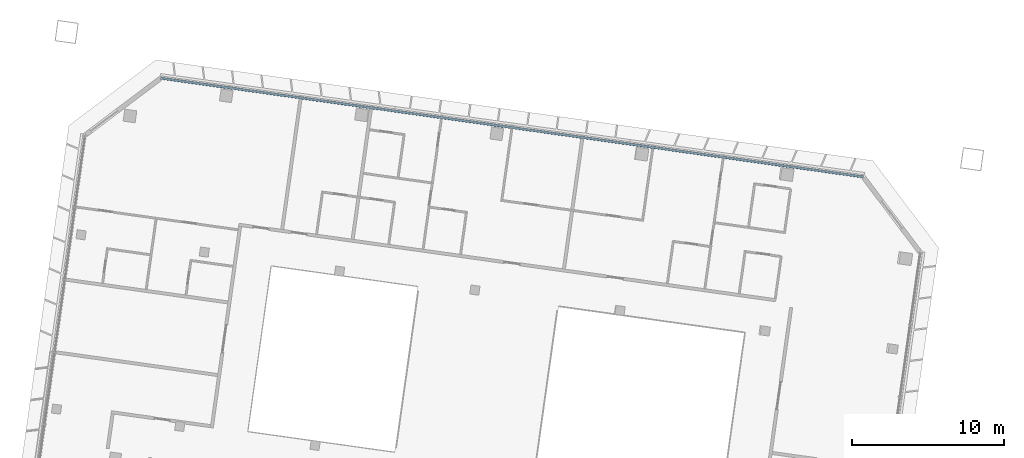
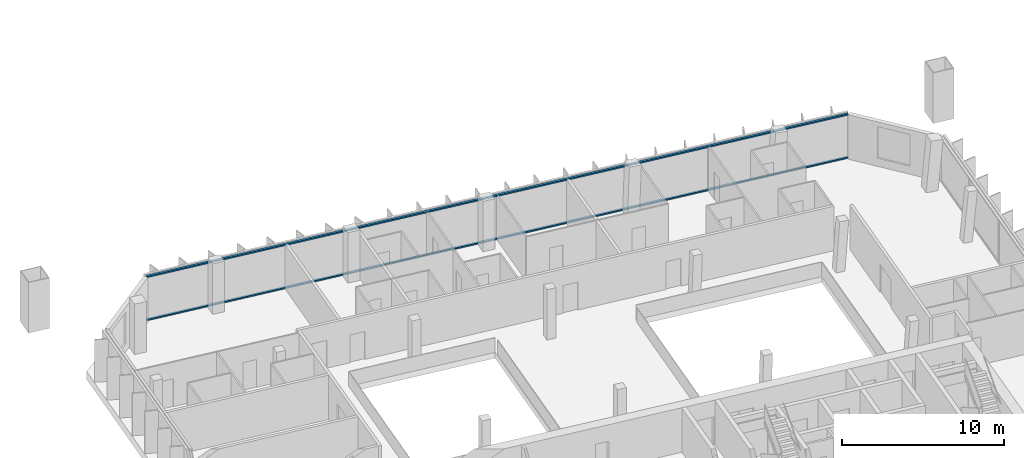
# One storey, part 5 of 22: 2 members, 1 element without a shape of its own.
"""IFC4 building model written with IfcOpenShell, lengths in metres."""

from ifc_helpers import new_model, si_unit, direction, frame, origin, origin_2d, place, context, subcontext, project, spatial, rectangle, extrude, material, material_profile, profile_set, type_object, element, aggregate, save


model = new_model("IFC4")

# Units and contexts
model_context = context("Model", 3, precision=1e-05, world=origin(), true_north=direction((0.0, 1.0)))
body_context = subcontext(model_context, "Body", "Model", "MODEL_VIEW")
ifc_project = project(units=[si_unit("LENGTHUNIT", "METRE"), si_unit("AREAUNIT", "SQUARE_METRE"), si_unit("VOLUMEUNIT", "CUBIC_METRE"), si_unit("PLANEANGLEUNIT", "RADIAN"), si_unit("MASSUNIT", "GRAM", prefix="KILO")], contexts=[model_context])

# Site, building, storey
site_placement = place(None, origin())
site = spatial("IfcSite", under=ifc_project, at=site_placement, CompositionType="ELEMENT")
building_placement = place(site_placement, origin())
building = spatial("IfcBuilding", under=site, at=building_placement, Name="Mirante Cascada Hotel Towers", CompositionType="ELEMENT")
storey_placement = place(building_placement, frame((0.0, 0.0, 191.6)))
storey = spatial("IfcBuildingStorey", under=building, at=storey_placement, Name="L45", CompositionType="ELEMENT", Elevation=191.6)

# Curtain wall, members
ifc_material_1 = material(Name="Aluminium mullion and transom frame with clear laminated glass", Category="aluminium")
curtain_wall_type = type_object("IfcCurtainWallType", Name="Ribbon curtain wall ECW1", PredefinedType="NOTDEFINED", material=ifc_material_1)
curtain_wall_placement = place(storey_placement, origin())
curtain_wall = element("IfcCurtainWall", 1, at=curtain_wall_placement, inside=storey, type_object=curtain_wall_type, Name="Front ribbon wall T1 L45", PredefinedType="NOTDEFINED")
ifc_material_2 = material(Name="Anodised aluminium extrusion", Category="aluminium")
ifc_material_profile = material_profile(ifc_material_2, rectangle(XDim=0.16, YDim=0.1, at=origin_2d()), Name="ECW1 TRANSOM 100x160")
ifc_profile_set = profile_set([ifc_material_profile], Name="Anodised aluminium extrusion")
member_type = type_object("IfcMemberType", Name="ECW1 transom 100x160", PredefinedType="USERDEFINED", material=ifc_profile_set)
member_1_placement = place(storey_placement, frame((-76.3333, 23.547, 0.05), z_axis=(0.9902681, -0.1391727, 0.0), x_axis=(0.1391727, 0.9902681, 0.0)))
member_1 = element("IfcMember", 2, at=member_1_placement, type_object=member_type, Name="ECW1 sill transom", ObjectType="TRANSOM", PredefinedType="USERDEFINED", context=body_context, shape_type="SweptSolid", body=[
    extrude(rectangle(XDim=0.16, YDim=0.1, at=origin_2d()), origin(), (0.0, 0.0, 1.0), 46.7448),
])
member_2_placement = place(storey_placement, frame((-76.3333, 23.547, 3.3), z_axis=(0.9902681, -0.1391727, 0.0), x_axis=(0.1391727, 0.9902681, 0.0)))
member_2 = element("IfcMember", 3, at=member_2_placement, type_object=member_type, Name="ECW1 head transom", ObjectType="TRANSOM", PredefinedType="USERDEFINED", context=body_context, shape_type="SweptSolid", body=[
    extrude(rectangle(XDim=0.16, YDim=0.1, at=origin_2d()), origin(), (0.0, 0.0, 1.0), 46.7448),
])
aggregate(curtain_wall, [member_1, member_2])

save(model, "model.ifc")
